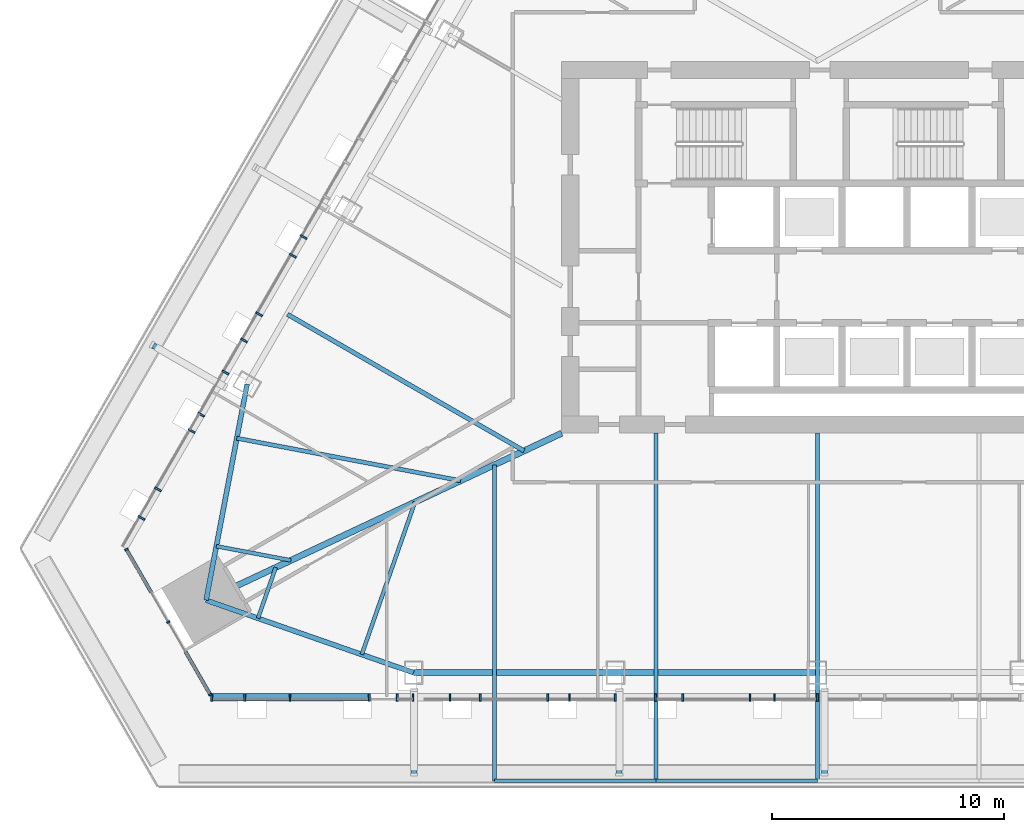
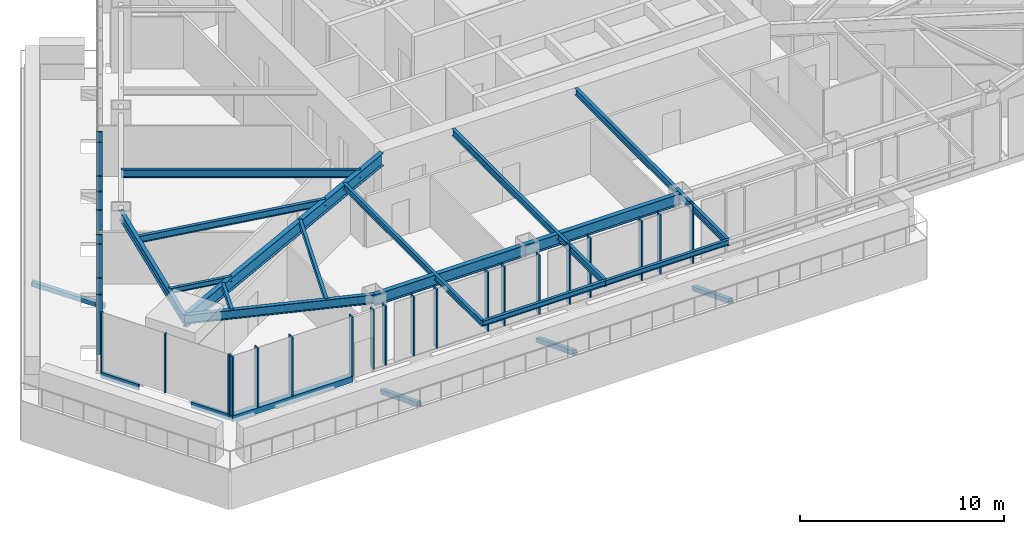
# One storey, part 2 of 23: 35 members, 14 beams, 3 elements without a shape of their own.
"""IFC4 building model written with IfcOpenShell, lengths in metres."""

from ifc_helpers import new_model, si_unit, direction, frame, origin, origin_2d, place, context, subcontext, project, spatial, rectangle, hollow_rectangle, i_section, extrude, material, layer, layer_set, material_profile, profile_set, type_object, element, aggregate, save


model = new_model("IFC4")

# Units and contexts
model_context = context("Model", 3, precision=1e-05, world=origin(), true_north=direction((0.0, 1.0)))
body_context = subcontext(model_context, "Body", "Model", "MODEL_VIEW")
ifc_project = project(units=[si_unit("LENGTHUNIT", "METRE"), si_unit("AREAUNIT", "SQUARE_METRE"), si_unit("VOLUMEUNIT", "CUBIC_METRE"), si_unit("PLANEANGLEUNIT", "RADIAN"), si_unit("MASSUNIT", "GRAM", prefix="KILO")], contexts=[model_context])

# Site, building, storey
site_placement = place(None, origin())
site = spatial("IfcSite", under=ifc_project, at=site_placement, CompositionType="ELEMENT")
building_placement = place(site_placement, origin())
building = spatial("IfcBuilding", under=site, at=building_placement, Name="Firuza Gate Tower and Library", CompositionType="ELEMENT")
storey_placement = place(building_placement, frame((0.0, 0.0, 190.89990234375)))
storey = spatial("IfcBuildingStorey", under=building, at=storey_placement, Name="L44", CompositionType="ELEMENT", Elevation=190.89990234375)

# Curtain wall, members
ifc_material_1 = material(Name="Aluminium 6063-T6", Category="aluminium")
ifc_layer_1 = layer(ifc_material_1, 0.14990234375)
ifc_layer_set_1 = layer_set([ifc_layer_1], Name="Corner curtain wall, chamfers")
curtain_wall_type_1 = type_object("IfcCurtainWallType", Name="Corner curtain wall, chamfers", PredefinedType="NOTDEFINED", material=ifc_layer_set_1)
placement = place(storey_placement, origin())
curtain_wall_1 = element("IfcCurtainWall", 1, at=placement, inside=storey, type_object=curtain_wall_type_1, Name="CW4 L44 SW corner", PredefinedType="NOTDEFINED")
ifc_material_2 = material(Name="Aluminium 6063-T6", Category="aluminium")
ifc_material_profile_1 = material_profile(ifc_material_2, rectangle(XDim=0.14990234375, YDim=0.080078125, at=origin_2d()))
ifc_profile_set_1 = profile_set([ifc_material_profile_1], Name="Aluminium 6063-T6")
member_type_1 = type_object("IfcMemberType", Name="Curtain wall mullion 80x150", PredefinedType="MULLION", material=ifc_profile_set_1)
member_1_placement = place(storey_placement, frame((45.276123046875, 61.99951171875, 0.150146484375), z_axis=(0.0, 0.0, 1.0), x_axis=(0.866025403784, 0.5, 0.0)))
member_1 = element("IfcMember", 2, at=member_1_placement, type_object=member_type_1, Name="Mullion", PredefinedType="MULLION", context=body_context, shape_type="SweptSolid", body=[
    extrude(rectangle(XDim=0.14990234375, YDim=0.080078125, at=origin_2d()), origin(), (0.0, 0.0, 1.0), 3.550048828125),
])
member_2_placement = place(storey_placement, frame((47.07763671875, 58.879150390625, 0.150146484375), z_axis=(0.0, 0.0, 1.0), x_axis=(0.866025403784, 0.5, 0.0)))
member_2 = element("IfcMember", 3, at=member_2_placement, type_object=member_type_1, Name="Mullion", PredefinedType="MULLION", context=body_context, shape_type="SweptSolid", body=[
    extrude(rectangle(XDim=0.14990234375, YDim=0.080078125, at=origin_2d()), origin(), (0.0, 0.0, 1.0), 3.550048828125),
])
member_3_placement = place(storey_placement, frame((48.87939453125, 55.758544921875, 0.150146484375), z_axis=(0.0, 0.0, 1.0), x_axis=(0.866025403784, 0.5, 0.0)))
member_3 = element("IfcMember", 4, at=member_3_placement, type_object=member_type_1, Name="Mullion", PredefinedType="MULLION", context=body_context, shape_type="SweptSolid", body=[
    extrude(rectangle(XDim=0.14990234375, YDim=0.080078125, at=origin_2d()), origin(), (0.0, 0.0, 1.0), 3.550048828125),
])

ifc_material_3 = material(Name="Aluminium 6063-T6", Category="aluminium")
ifc_layer_2 = layer(ifc_material_3, 0.14990234375)
ifc_layer_set_2 = layer_set([ifc_layer_2], Name="Unitised curtain wall, hotel")
curtain_wall_type_2 = type_object("IfcCurtainWallType", Name="Unitised curtain wall, hotel", PredefinedType="NOTDEFINED", material=ifc_layer_set_2)
curtain_wall_2 = element("IfcCurtainWall", 5, at=placement, inside=storey, type_object=curtain_wall_type_2, Name="CW2 L44 S face", PredefinedType="NOTDEFINED")
ifc_material_4 = material(Name="Aluminium 6063-T6", Category="aluminium")
ifc_material_profile_2 = material_profile(ifc_material_4, rectangle(XDim=0.320068359375, YDim=0.080078125, at=origin_2d()))
ifc_profile_set_2 = profile_set([ifc_material_profile_2], Name="Aluminium 6063-T6")
member_type_2 = type_object("IfcMemberType", Name="Curtain wall mullion 80x320", PredefinedType="MULLION", material=ifc_profile_set_2)
member_4_placement = place(storey_placement, frame((48.939453125, 55.638916015625, 0.150146484375), z_axis=(0.0, 0.0, 1.0), x_axis=(0.0, 1.0, 0.0)))
member_4 = element("IfcMember", 6, at=member_4_placement, type_object=member_type_2, Name="Mullion", PredefinedType="MULLION", context=body_context, shape_type="SweptSolid", body=[
    extrude(rectangle(XDim=0.320068359375, YDim=0.080078125, at=origin_2d()), origin(), (0.0, 0.0, 1.0), 3.550048828125),
])
member_5_placement = place(storey_placement, frame((52.309326171875, 55.638916015625, 0.150146484375), z_axis=(0.0, 0.0, 1.0), x_axis=(0.0, 1.0, 0.0)))
member_5 = element("IfcMember", 7, at=member_5_placement, type_object=member_type_2, Name="Mullion", PredefinedType="MULLION", context=body_context, shape_type="SweptSolid", body=[
    extrude(rectangle(XDim=0.320068359375, YDim=0.080078125, at=origin_2d()), origin(), (0.0, 0.0, 1.0), 3.550048828125),
])
member_6_placement = place(storey_placement, frame((55.71923828125, 55.638916015625, 0.150146484375), z_axis=(0.0, 0.0, 1.0), x_axis=(0.0, 1.0, 0.0)))
member_6 = element("IfcMember", 8, at=member_6_placement, type_object=member_type_2, Name="Mullion", PredefinedType="MULLION", context=body_context, shape_type="SweptSolid", body=[
    extrude(rectangle(XDim=0.320068359375, YDim=0.080078125, at=origin_2d()), origin(), (0.0, 0.0, 1.0), 3.550048828125),
])
member_7_placement = place(storey_placement, frame((56.91943359375, 55.638916015625, 0.150146484375), z_axis=(0.0, 0.0, 1.0), x_axis=(0.0, 1.0, 0.0)))
member_7 = element("IfcMember", 9, at=member_7_placement, type_object=member_type_2, Name="Mullion", PredefinedType="MULLION", context=body_context, shape_type="SweptSolid", body=[
    extrude(rectangle(XDim=0.320068359375, YDim=0.080078125, at=origin_2d()), origin(), (0.0, 0.0, 1.0), 3.550048828125),
])
member_8_placement = place(storey_placement, frame((57.599609375, 55.638916015625, 0.150146484375), z_axis=(0.0, 0.0, 1.0), x_axis=(0.0, 1.0, 0.0)))
member_8 = element("IfcMember", 10, at=member_8_placement, type_object=member_type_2, Name="Mullion", PredefinedType="MULLION", context=body_context, shape_type="SweptSolid", body=[
    extrude(rectangle(XDim=0.320068359375, YDim=0.080078125, at=origin_2d()), origin(), (0.0, 0.0, 1.0), 3.550048828125),
])
member_9_placement = place(storey_placement, frame((60.499755859375, 55.638916015625, 0.150146484375), z_axis=(0.0, 0.0, 1.0), x_axis=(0.0, 1.0, 0.0)))
member_9 = element("IfcMember", 11, at=member_9_placement, type_object=member_type_2, Name="Mullion", PredefinedType="MULLION", context=body_context, shape_type="SweptSolid", body=[
    extrude(rectangle(XDim=0.320068359375, YDim=0.080078125, at=origin_2d()), origin(), (0.0, 0.0, 1.0), 3.550048828125),
])
member_10_placement = place(storey_placement, frame((63.399658203125, 55.638916015625, 0.150146484375), z_axis=(0.0, 0.0, 1.0), x_axis=(0.0, 1.0, 0.0)))
member_10 = element("IfcMember", 12, at=member_10_placement, type_object=member_type_2, Name="Mullion", PredefinedType="MULLION", context=body_context, shape_type="SweptSolid", body=[
    extrude(rectangle(XDim=0.320068359375, YDim=0.080078125, at=origin_2d()), origin(), (0.0, 0.0, 1.0), 3.550048828125),
])
member_11_placement = place(storey_placement, frame((66.2998046875, 55.638916015625, 0.150146484375), z_axis=(0.0, 0.0, 1.0), x_axis=(0.0, 1.0, 0.0)))
member_11 = element("IfcMember", 13, at=member_11_placement, type_object=member_type_2, Name="Mullion", PredefinedType="MULLION", context=body_context, shape_type="SweptSolid", body=[
    extrude(rectangle(XDim=0.320068359375, YDim=0.080078125, at=origin_2d()), origin(), (0.0, 0.0, 1.0), 3.550048828125),
])
member_12_placement = place(storey_placement, frame((69.199951171875, 55.638916015625, 0.150146484375), z_axis=(0.0, 0.0, 1.0), x_axis=(0.0, 1.0, 0.0)))
member_12 = element("IfcMember", 14, at=member_12_placement, type_object=member_type_2, Name="Mullion", PredefinedType="MULLION", context=body_context, shape_type="SweptSolid", body=[
    extrude(rectangle(XDim=0.320068359375, YDim=0.080078125, at=origin_2d()), origin(), (0.0, 0.0, 1.0), 3.550048828125),
])
member_13_placement = place(storey_placement, frame((72.099853515625, 55.638916015625, 0.150146484375), z_axis=(0.0, 0.0, 1.0), x_axis=(0.0, 1.0, 0.0)))
member_13 = element("IfcMember", 15, at=member_13_placement, type_object=member_type_2, Name="Mullion", PredefinedType="MULLION", context=body_context, shape_type="SweptSolid", body=[
    extrude(rectangle(XDim=0.320068359375, YDim=0.080078125, at=origin_2d()), origin(), (0.0, 0.0, 1.0), 3.550048828125),
])
member_14_placement = place(storey_placement, frame((75.0, 55.638916015625, 0.150146484375), z_axis=(0.0, 0.0, 1.0), x_axis=(0.0, 1.0, 0.0)))
member_14 = element("IfcMember", 16, at=member_14_placement, type_object=member_type_2, Name="Mullion", PredefinedType="MULLION", context=body_context, shape_type="SweptSolid", body=[
    extrude(rectangle(XDim=0.320068359375, YDim=0.080078125, at=origin_2d()), origin(), (0.0, 0.0, 1.0), 3.550048828125),
])
member_15_placement = place(storey_placement, frame((50.3720703125, 55.638916015625, 0.150146484375), z_axis=(0.0, 0.0, 1.0), x_axis=(0.0, 1.0, 0.0)))
member_15 = element("IfcMember", 17, at=member_15_placement, type_object=member_type_2, Name="Mullion", PredefinedType="MULLION", context=body_context, shape_type="SweptSolid", body=[
    extrude(rectangle(XDim=0.320068359375, YDim=0.080078125, at=origin_2d()), origin(), (0.0, 0.0, 1.0), 3.550048828125),
])
member_16_placement = place(storey_placement, frame((59.196044921875, 55.638916015625, 0.150146484375), z_axis=(0.0, 0.0, 1.0), x_axis=(0.0, 1.0, 0.0)))
member_16 = element("IfcMember", 18, at=member_16_placement, type_object=member_type_2, Name="Mullion", PredefinedType="MULLION", context=body_context, shape_type="SweptSolid", body=[
    extrude(rectangle(XDim=0.320068359375, YDim=0.080078125, at=origin_2d()), origin(), (0.0, 0.0, 1.0), 3.550048828125),
])
member_17_placement = place(storey_placement, frame((64.33251953125, 55.638916015625, 0.150146484375), z_axis=(0.0, 0.0, 1.0), x_axis=(0.0, 1.0, 0.0)))
member_17 = element("IfcMember", 19, at=member_17_placement, type_object=member_type_2, Name="Mullion", PredefinedType="MULLION", context=body_context, shape_type="SweptSolid", body=[
    extrude(rectangle(XDim=0.320068359375, YDim=0.080078125, at=origin_2d()), origin(), (0.0, 0.0, 1.0), 3.550048828125),
])
member_18_placement = place(storey_placement, frame((68.019775390625, 55.638916015625, 0.150146484375), z_axis=(0.0, 0.0, 1.0), x_axis=(0.0, 1.0, 0.0)))
member_18 = element("IfcMember", 20, at=member_18_placement, type_object=member_type_2, Name="Mullion", PredefinedType="MULLION", context=body_context, shape_type="SweptSolid", body=[
    extrude(rectangle(XDim=0.320068359375, YDim=0.080078125, at=origin_2d()), origin(), (0.0, 0.0, 1.0), 3.550048828125),
])
member_19_placement = place(storey_placement, frame((73.15625, 55.638916015625, 0.150146484375), z_axis=(0.0, 0.0, 1.0), x_axis=(0.0, 1.0, 0.0)))
member_19 = element("IfcMember", 21, at=member_19_placement, type_object=member_type_2, Name="Mullion", PredefinedType="MULLION", context=body_context, shape_type="SweptSolid", body=[
    extrude(rectangle(XDim=0.320068359375, YDim=0.080078125, at=origin_2d()), origin(), (0.0, 0.0, 1.0), 3.550048828125),
])

curtain_wall_3 = element("IfcCurtainWall", 22, at=placement, inside=storey, type_object=curtain_wall_type_2, Name="CW2 L44 W face", PredefinedType="NOTDEFINED")
member_20_placement = place(storey_placement, frame((52.4326171875, 74.634521484375, 0.150146484375), z_axis=(0.0, 0.0, 1.0), x_axis=(0.866025403784, -0.5, 0.0)))
member_20 = element("IfcMember", 23, at=member_20_placement, type_object=member_type_2, Name="Mullion", PredefinedType="MULLION", context=body_context, shape_type="SweptSolid", body=[
    extrude(rectangle(XDim=0.320068359375, YDim=0.080078125, at=origin_2d()), origin(), (0.0, 0.0, 1.0), 3.550048828125),
])
member_21_placement = place(storey_placement, frame((50.982666015625, 72.122802734375, 0.150146484375), z_axis=(0.0, 0.0, 1.0), x_axis=(0.866025403784, -0.5, 0.0)))
member_21 = element("IfcMember", 24, at=member_21_placement, type_object=member_type_2, Name="Mullion", PredefinedType="MULLION", context=body_context, shape_type="SweptSolid", body=[
    extrude(rectangle(XDim=0.320068359375, YDim=0.080078125, at=origin_2d()), origin(), (0.0, 0.0, 1.0), 3.550048828125),
])
member_22_placement = place(storey_placement, frame((49.532470703125, 69.611328125, 0.150146484375), z_axis=(0.0, 0.0, 1.0), x_axis=(0.866025403784, -0.5, 0.0)))
member_22 = element("IfcMember", 25, at=member_22_placement, type_object=member_type_2, Name="Mullion", PredefinedType="MULLION", context=body_context, shape_type="SweptSolid", body=[
    extrude(rectangle(XDim=0.320068359375, YDim=0.080078125, at=origin_2d()), origin(), (0.0, 0.0, 1.0), 3.550048828125),
])
member_23_placement = place(storey_placement, frame((48.08251953125, 67.099853515625, 0.150146484375), z_axis=(0.0, 0.0, 1.0), x_axis=(0.866025403784, -0.5, 0.0)))
member_23 = element("IfcMember", 26, at=member_23_placement, type_object=member_type_2, Name="Mullion", PredefinedType="MULLION", context=body_context, shape_type="SweptSolid", body=[
    extrude(rectangle(XDim=0.320068359375, YDim=0.080078125, at=origin_2d()), origin(), (0.0, 0.0, 1.0), 3.550048828125),
])
member_24_placement = place(storey_placement, frame((46.632568359375, 64.58837890625, 0.150146484375), z_axis=(0.0, 0.0, 1.0), x_axis=(0.866025403784, -0.5, 0.0)))
member_24 = element("IfcMember", 27, at=member_24_placement, type_object=member_type_2, Name="Mullion", PredefinedType="MULLION", context=body_context, shape_type="SweptSolid", body=[
    extrude(rectangle(XDim=0.320068359375, YDim=0.080078125, at=origin_2d()), origin(), (0.0, 0.0, 1.0), 3.550048828125),
])
member_25_placement = place(storey_placement, frame((52.89892578125, 75.442138671875, 0.150146484375), z_axis=(0.0, 0.0, 1.0), x_axis=(0.866025403784, -0.5, 0.0)))
member_25 = element("IfcMember", 28, at=member_25_placement, type_object=member_type_2, Name="Mullion", PredefinedType="MULLION", context=body_context, shape_type="SweptSolid", body=[
    extrude(rectangle(XDim=0.320068359375, YDim=0.080078125, at=origin_2d()), origin(), (0.0, 0.0, 1.0), 3.550048828125),
])
member_26_placement = place(storey_placement, frame((50.330810546875, 70.993896484375, 0.150146484375), z_axis=(0.0, 0.0, 1.0), x_axis=(0.866025403784, -0.5, 0.0)))
member_26 = element("IfcMember", 29, at=member_26_placement, type_object=member_type_2, Name="Mullion", PredefinedType="MULLION", context=body_context, shape_type="SweptSolid", body=[
    extrude(rectangle(XDim=0.320068359375, YDim=0.080078125, at=origin_2d()), origin(), (0.0, 0.0, 1.0), 3.550048828125),
])
member_27_placement = place(storey_placement, frame((48.487060546875, 67.800537109375, 0.150146484375), z_axis=(0.0, 0.0, 1.0), x_axis=(0.866025403784, -0.5, 0.0)))
member_27 = element("IfcMember", 30, at=member_27_placement, type_object=member_type_2, Name="Mullion", PredefinedType="MULLION", context=body_context, shape_type="SweptSolid", body=[
    extrude(rectangle(XDim=0.320068359375, YDim=0.080078125, at=origin_2d()), origin(), (0.0, 0.0, 1.0), 3.550048828125),
])
member_28_placement = place(storey_placement, frame((45.9189453125, 63.352294921875, 0.150146484375), z_axis=(0.0, 0.0, 1.0), x_axis=(0.866025403784, -0.5, 0.0)))
member_28 = element("IfcMember", 31, at=member_28_placement, type_object=member_type_2, Name="Mullion", PredefinedType="MULLION", context=body_context, shape_type="SweptSolid", body=[
    extrude(rectangle(XDim=0.320068359375, YDim=0.080078125, at=origin_2d()), origin(), (0.0, 0.0, 1.0), 3.550048828125),
])
aggregate(curtain_wall_3, [member_20, member_21, member_22, member_23, member_24, member_25, member_26, member_27, member_28])

# Member
ifc_material_5 = material(Name="Aluminium 6063-T6", Category="aluminium")
ifc_material_profile_3 = material_profile(ifc_material_5, rectangle(XDim=0.14990234375, YDim=0.35009765625, at=origin_2d()))
ifc_profile_set_3 = profile_set([ifc_material_profile_3], Name="Aluminium 6063-T6")
member_type_3 = type_object("IfcMemberType", Name="Curtain wall transom 350x150", PredefinedType="USERDEFINED", material=ifc_profile_set_3)
member_29_placement = place(storey_placement, frame((45.256103515625, 62.0341796875, -0.02490234375), z_axis=(0.499999270699, -0.866025824846, 0.0), x_axis=(0.866025824846, 0.499999270699, 0.0)))
member_29 = element("IfcMember", 32, at=member_29_placement, type_object=member_type_3, Name="Transom", ObjectType="TRANSOM", PredefinedType="USERDEFINED", context=body_context, shape_type="SweptSolid", body=[
    extrude(rectangle(XDim=0.14990234375, YDim=0.35009765625, at=origin_2d()), origin(), (0.0, 0.0, 1.0), 2.1630859375),
])

member_30_placement = place(storey_placement, frame((47.817626953125, 57.597412109375, -0.02490234375), z_axis=(0.500035042182, -0.866005171226, 0.0), x_axis=(0.866005171226, 0.500035042182, 0.0)))
member_30 = element("IfcMember", 33, at=member_30_placement, type_object=member_type_3, Name="Transom", ObjectType="TRANSOM", PredefinedType="USERDEFINED", context=body_context, shape_type="SweptSolid", body=[
    extrude(rectangle(XDim=0.14990234375, YDim=0.35009765625, at=origin_2d()), origin(), (0.0, 0.0, 1.0), 2.163330078125),
])

aggregate(curtain_wall_1, [member_1, member_2, member_3, member_29, member_30])

ifc_material_6 = material(Name="Aluminium 6063-T6", Category="aluminium")
ifc_material_profile_4 = material_profile(ifc_material_6, rectangle(XDim=0.320068359375, YDim=0.35009765625, at=origin_2d()))
ifc_profile_set_4 = profile_set([ifc_material_profile_4], Name="Aluminium 6063-T6")
member_type_4 = type_object("IfcMemberType", Name="Curtain wall transom 350x320", PredefinedType="USERDEFINED", material=ifc_profile_set_4)
member_31_placement = place(storey_placement, frame((48.8994140625, 55.638916015625, -0.02490234375), z_axis=(1.0, 0.0, 0.0), x_axis=(0.0, 1.0, 0.0)))
member_31 = element("IfcMember", 34, at=member_31_placement, type_object=member_type_4, Name="Transom", ObjectType="TRANSOM", PredefinedType="USERDEFINED", context=body_context, shape_type="SweptSolid", body=[
    extrude(rectangle(XDim=0.320068359375, YDim=0.35009765625, at=origin_2d()), origin(), (0.0, 0.0, 1.0), 6.81982421875),
])

aggregate(curtain_wall_2, [member_4, member_5, member_6, member_7, member_8, member_9, member_10, member_11, member_12, member_13, member_14, member_31, member_15, member_16, member_17, member_18, member_19])

# Members
ifc_material_7 = material(Name="Steel S355", Category="steel")
ifc_material_profile_5 = material_profile(ifc_material_7, hollow_rectangle(XDim=0.25390625, YDim=0.25390625, WallThickness=0.01171875, at=origin_2d()))
ifc_profile_set_5 = profile_set([ifc_material_profile_5], Name="Steel S355")
member_type_5 = type_object("IfcMemberType", Name="HSS254x254x13 Tray strut", PredefinedType="BRACE", material=ifc_profile_set_5)
for number, where, z_axis, x_axis, name in (
    (35, (57.65234375, 55.9248046875, -1.669921875), (0.0, -0.932016532514, 0.362415760032), (1.0, 0.0, 0.0), "Tray strut L44 col:L43:S1"),
    (36, (66.47607421875, 55.9248046875, -1.669921875), (0.0, -0.932016532514, 0.362415760032), (1.0, 0.0, 0.0), "Tray strut L44 col:L43:S2"),
    (37, (75.300048828125, 55.9248046875, -1.669921875), (0.0, -0.932016532514, 0.362415760032), (1.0, 0.0, 0.0), "Tray strut L44 col:L43:S3"),
):
    element("IfcMember", number, at=place(storey_placement, frame(where, z_axis=z_axis, x_axis=x_axis)), inside=storey, type_object=member_type_5, Name=name, PredefinedType="BRACE", context=body_context, shape_type="SweptSolid", body=[
        extrude(hollow_rectangle(XDim=0.25390625, YDim=0.25390625, WallThickness=0.01171875, at=origin_2d()), origin(), (0.0, 0.0, 1.0), 3.86279296875),
    ])
member_32_placement = place(storey_placement, frame((49.50634765625, 68.994384765625, -1.669921875), z_axis=(-0.807140949077, 0.466018027999, 0.362423351763), x_axis=(-0.500012057535, -0.866018442252, 0.0)))
element("IfcMember", 38, at=member_32_placement, inside=storey, type_object=member_type_5, Name="Tray strut L44 col:L43:W5", PredefinedType="BRACE", context=body_context, shape_type="SweptSolid", body=[
    extrude(hollow_rectangle(XDim=0.25390625, YDim=0.25390625, WallThickness=0.01171875, at=origin_2d()), origin(), (0.0, 0.0, 1.0), 3.862548828125),
])

# Beams
ifc_material_8 = material(Name="Steel S355", Category="steel")
ifc_material_profile_6 = material_profile(ifc_material_8, i_section(OverallWidth=0.1650390625, OverallDepth=0.31005859375, WebThickness=0.005859375, FlangeThickness=0.009765625, at=origin_2d()))
ifc_profile_set_6 = profile_set([ifc_material_profile_6], Name="Steel S355")
beam_type_1 = type_object("IfcBeamType", Name="W310x39 Floor beam", PredefinedType="JOIST", material=ifc_profile_set_6)
beam_1_placement = place(storey_placement, frame((49.142333984375, 62.138916015625, 3.545166015625), z_axis=(0.98246268216, -0.186459320395, 0.0), x_axis=(0.186459320395, 0.98246268216, 0.0)))
element("IfcBeam", 39, at=beam_1_placement, inside=storey, type_object=beam_type_1, Name="Floor beam L44 s01", PredefinedType="JOIST", context=body_context, shape_type="SweptSolid", body=[
    extrude(i_section(OverallWidth=0.1650390625, OverallDepth=0.31005859375, WebThickness=0.005859375, FlangeThickness=0.009765625, at=origin_2d()), origin(), (0.0, 0.0, 1.0), 3.265625),
])
beam_2_placement = place(storey_placement, frame((50.93310546875, 59.037109375, 3.545166015625), z_axis=(0.329735047073, 0.944073513415, 0.0), x_axis=(-0.944073513415, 0.329735047073, 0.0)))
element("IfcBeam", 40, at=beam_2_placement, inside=storey, type_object=beam_type_1, Name="Floor beam L44 s10", PredefinedType="JOIST", context=body_context, shape_type="SweptSolid", body=[
    extrude(i_section(OverallWidth=0.1650390625, OverallDepth=0.31005859375, WebThickness=0.005859375, FlangeThickness=0.009765625, at=origin_2d()), origin(), (0.0, 0.0, 1.0), 2.315185546875),
])
beam_3_placement = place(storey_placement, frame((55.396728515625, 57.478271484375, 3.545166015625), z_axis=(0.329703718894, 0.944084454775, 0.0), x_axis=(-0.944084454775, 0.329703718894, 0.0)))
element("IfcBeam", 41, at=beam_3_placement, inside=storey, type_object=beam_type_1, Name="Floor beam L44 s11", PredefinedType="JOIST", context=body_context, shape_type="SweptSolid", body=[
    extrude(i_section(OverallWidth=0.1650390625, OverallDepth=0.31005859375, WebThickness=0.005859375, FlangeThickness=0.009765625, at=origin_2d()), origin(), (0.0, 0.0, 1.0), 6.94580078125),
])
beam_4_placement = place(storey_placement, frame((61.102783203125, 52.048828125, 3.545166015625), z_axis=(1.0, 0.0, 0.0), x_axis=(0.0, 1.0, 0.0)))
element("IfcBeam", 42, at=beam_4_placement, inside=storey, type_object=beam_type_1, Name="Tray edge beam L44 s20-s21", PredefinedType="JOIST", context=body_context, shape_type="SweptSolid", body=[
    extrude(i_section(OverallWidth=0.1650390625, OverallDepth=0.31005859375, WebThickness=0.005859375, FlangeThickness=0.009765625, at=origin_2d()), origin(), (0.0, 0.0, 1.0), 6.948486328125),
])
beam_5_placement = place(storey_placement, frame((68.05126953125, 52.048828125, 3.545166015625), z_axis=(1.0, 0.0, 0.0), x_axis=(0.0, 1.0, 0.0)))
element("IfcBeam", 43, at=beam_5_placement, inside=storey, type_object=beam_type_1, Name="Tray edge beam L44 s21-s22", PredefinedType="JOIST", context=body_context, shape_type="SweptSolid", body=[
    extrude(i_section(OverallWidth=0.1650390625, OverallDepth=0.31005859375, WebThickness=0.005859375, FlangeThickness=0.009765625, at=origin_2d()), origin(), (0.0, 0.0, 1.0), 6.94873046875),
])
ifc_material_9 = material(Name="Steel S355", Category="steel")
ifc_material_profile_7 = material_profile(ifc_material_9, i_section(OverallWidth=0.1708984375, OverallDepth=0.35498046875, WebThickness=0.007080078125, FlangeThickness=0.01171875, at=origin_2d()))
ifc_profile_set_7 = profile_set([ifc_material_profile_7], Name="Steel S355")
beam_type_2 = type_object("IfcBeamType", Name="W360x51 Floor beam", PredefinedType="JOIST", material=ifc_profile_set_7)
beam_6_placement = place(storey_placement, frame((61.102783203125, 52.048828125, 3.522705078125), z_axis=(0.0, 1.0, 0.0), x_axis=(-1.0, 0.0, 0.0)))
element("IfcBeam", 44, at=beam_6_placement, inside=storey, type_object=beam_type_2, Name="Floor beam L44 s20", PredefinedType="JOIST", context=body_context, shape_type="SweptSolid", body=[
    extrude(i_section(OverallWidth=0.1708984375, OverallDepth=0.35498046875, WebThickness=0.007080078125, FlangeThickness=0.01171875, at=origin_2d()), origin(), (0.0, 0.0, 1.0), 13.5908203125),
])
ifc_material_10 = material(Name="Steel S355", Category="steel")
ifc_material_profile_8 = material_profile(ifc_material_10, i_section(OverallWidth=0.177978515625, OverallDepth=0.406982421875, WebThickness=0.0078125, FlangeThickness=0.0126953125, at=origin_2d()))
ifc_profile_set_8 = profile_set([ifc_material_profile_8], Name="Steel S355")
beam_type_3 = type_object("IfcBeamType", Name="W410x60 Floor beam", PredefinedType="JOIST", material=ifc_profile_set_8)
beam_7_placement = place(storey_placement, frame((50.024169921875, 66.783935546875, 3.49658203125), z_axis=(0.982452683622, -0.18651199544, 0.0), x_axis=(0.18651199544, 0.982452683622, 0.0)))
element("IfcBeam", 45, at=beam_7_placement, inside=storey, type_object=beam_type_3, Name="Floor beam L44 s00", PredefinedType="JOIST", context=body_context, shape_type="SweptSolid", body=[
    extrude(i_section(OverallWidth=0.177978515625, OverallDepth=0.406982421875, WebThickness=0.0078125, FlangeThickness=0.0126953125, at=origin_2d()), origin(), (0.0, 0.0, 1.0), 9.79638671875),
])
for number, where, z_axis, x_axis, name in (
    (46, (68.05126953125, 52.048828125, 3.49658203125), (0.0, 1.0, 0.0), (-1.0, 0.0, 0.0), "Floor beam L44 s21"),
    (47, (75.0, 52.048828125, 3.49658203125), (0.0, 1.0, 0.0), (-1.0, 0.0, 0.0), "Floor beam L44 s22"),
):
    element("IfcBeam", number, at=place(storey_placement, frame(where, z_axis=z_axis, x_axis=x_axis)), inside=storey, type_object=beam_type_3, Name=name, PredefinedType="JOIST", context=body_context, shape_type="SweptSolid", body=[
        extrude(i_section(OverallWidth=0.177978515625, OverallDepth=0.406982421875, WebThickness=0.0078125, FlangeThickness=0.0126953125, at=origin_2d()), origin(), (0.0, 0.0, 1.0), 14.951171875),
    ])
ifc_material_11 = material(Name="Steel S355", Category="steel")
ifc_material_profile_9 = material_profile(ifc_material_11, i_section(OverallWidth=0.18994140625, OverallDepth=0.45703125, WebThickness=0.009033203125, FlangeThickness=0.014404296875, at=origin_2d()))
ifc_profile_set_9 = profile_set([ifc_material_profile_9], Name="Steel S355")
beam_type_4 = type_object("IfcBeamType", Name="W460x74 Floor beam", PredefinedType="JOIST", material=ifc_profile_set_9)
beam_8_placement = place(storey_placement, frame((52.2021484375, 72.115234375, 3.4716796875), z_axis=(0.866025409827, -0.499999989534, 0.0), x_axis=(0.499999989534, 0.866025409827, 0.0)))
element("IfcBeam", 48, at=beam_8_placement, inside=storey, type_object=beam_type_4, Name="Floor beam L44 s84", PredefinedType="JOIST", context=body_context, shape_type="SweptSolid", body=[
    extrude(i_section(OverallWidth=0.18994140625, OverallDepth=0.45703125, WebThickness=0.009033203125, FlangeThickness=0.014404296875, at=origin_2d()), origin(), (0.0, 0.0, 1.0), 11.751953125),
])
ifc_material_12 = material(Name="Steel S355", Category="steel")
ifc_material_profile_10 = material_profile(ifc_material_12, i_section(OverallWidth=0.212890625, OverallDepth=0.5390625, WebThickness=0.01171875, FlangeThickness=0.018798828125, at=origin_2d()))
ifc_profile_set_10 = profile_set([ifc_material_profile_10], Name="Steel S355")
beam_type_5 = type_object("IfcBeamType", Name="W530x109 Edge beam", PredefinedType="SPANDREL", material=ifc_profile_set_10)
beam_9_placement = place(storey_placement, frame((50.46484375, 69.1064453125, 3.4306640625), z_axis=(-0.186493929344, -0.982456113176, 0.0), x_axis=(0.982456113176, -0.186493929344, 0.0)))
element("IfcBeam", 49, at=beam_9_placement, inside=storey, type_object=beam_type_5, Name="Edge beam L44 e00", PredefinedType="SPANDREL", context=body_context, shape_type="SweptSolid", body=[
    extrude(i_section(OverallWidth=0.212890625, OverallDepth=0.5390625, WebThickness=0.01171875, FlangeThickness=0.018798828125, at=origin_2d()), origin(), (0.0, 0.0, 1.0), 9.45556640625),
])
beam_10_placement = place(storey_placement, frame((48.701416015625, 59.816650390625, 3.4306640625), z_axis=(0.94408154334, -0.329712055475, 0.0), x_axis=(0.329712055475, 0.94408154334, 0.0)))
element("IfcBeam", 50, at=beam_10_placement, inside=storey, type_object=beam_type_5, Name="Edge beam L44 e10", PredefinedType="SPANDREL", context=body_context, shape_type="SweptSolid", body=[
    extrude(i_section(OverallWidth=0.212890625, OverallDepth=0.5390625, WebThickness=0.01171875, FlangeThickness=0.018798828125, at=origin_2d()), origin(), (0.0, 0.0, 1.0), 9.455810546875),
])
ifc_material_13 = material(Name="Steel S355", Category="steel")
ifc_material_profile_11 = material_profile(ifc_material_13, i_section(OverallWidth=0.2529296875, OverallDepth=0.677978515625, WebThickness=0.01171875, FlangeThickness=0.016357421875, at=origin_2d()))
ifc_profile_set_11 = profile_set([ifc_material_profile_11], Name="Steel S355")
beam_type_6 = type_object("IfcBeamType", Name="W690x125 Edge beam", PredefinedType="SPANDREL", material=ifc_profile_set_11)
beam_11_placement = place(storey_placement, frame((57.62841796875, 56.698974609375, 3.361083984375), z_axis=(1.0, 0.0, 0.0), x_axis=(0.0, 1.0, 0.0)))
element("IfcBeam", 51, at=beam_11_placement, inside=storey, type_object=beam_type_6, Name="Edge beam L44 e20", PredefinedType="SPANDREL", context=body_context, shape_type="SweptSolid", body=[
    extrude(i_section(OverallWidth=0.2529296875, OverallDepth=0.677978515625, WebThickness=0.01171875, FlangeThickness=0.016357421875, at=origin_2d()), origin(), (0.0, 0.0, 1.0), 17.37158203125),
])
ifc_material_14 = material(Name="Steel S355", Category="steel")
ifc_material_profile_12 = material_profile(ifc_material_14, i_section(OverallWidth=0.264892578125, OverallDepth=0.7529296875, WebThickness=0.01318359375, FlangeThickness=0.01708984375, at=origin_2d()))
ifc_profile_set_12 = profile_set([ifc_material_profile_12], Name="Steel S355")
beam_type_7 = type_object("IfcBeamType", Name="W760x147 Girder", PredefinedType="BEAM", material=ifc_profile_set_12)
beam_12_placement = place(storey_placement, frame((48.701416015625, 59.816650390625, 3.323486328125), z_axis=(0.905182734973, 0.425022606819, 0.0), x_axis=(-0.425022606819, 0.905182734973, 0.0)))
element("IfcBeam", 52, at=beam_12_placement, inside=storey, type_object=beam_type_7, Name="Girder L44 gSW", PredefinedType="BEAM", context=body_context, shape_type="SweptSolid", body=[
    extrude(i_section(OverallWidth=0.264892578125, OverallDepth=0.7529296875, WebThickness=0.01318359375, FlangeThickness=0.01708984375, at=origin_2d()), origin(), (0.0, 0.0, 1.0), 16.901123046875),
])

save(model, "model.ifc")
